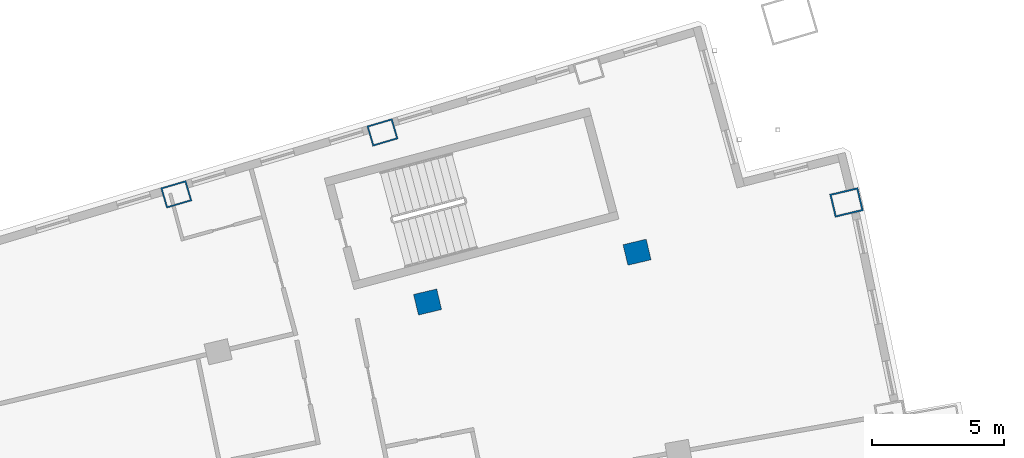
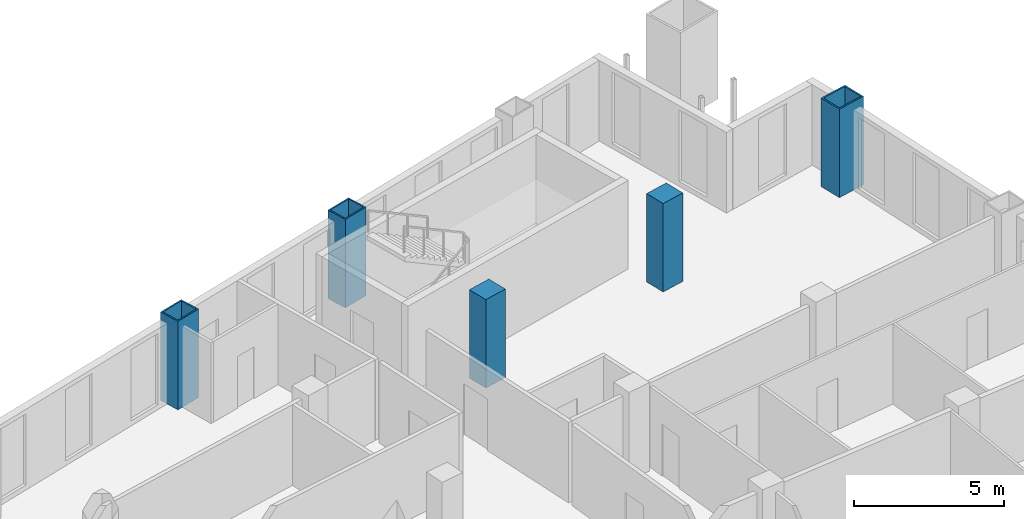
# One storey, part 8 of 20: 5 columns.
"""IFC4 building model written with IfcOpenShell, lengths in metres."""

from ifc_helpers import new_model, si_unit, direction, frame, origin, origin_2d, place, context, subcontext, project, spatial, rectangle, hollow_rectangle, extrude, material, material_profile, profile_set, type_object, element, save


model = new_model("IFC4")

# Units and contexts
model_context = context("Model", 3, precision=1e-05, world=origin(), true_north=direction((0.0, 1.0)))
body_context = subcontext(model_context, "Body", "Model", "MODEL_VIEW")
ifc_project = project(units=[si_unit("LENGTHUNIT", "METRE"), si_unit("AREAUNIT", "SQUARE_METRE"), si_unit("VOLUMEUNIT", "CUBIC_METRE"), si_unit("PLANEANGLEUNIT", "RADIAN"), si_unit("MASSUNIT", "GRAM", prefix="KILO")], contexts=[model_context])

# Site, building, storey
site_placement = place(None, origin())
site = spatial("IfcSite", under=ifc_project, at=site_placement, CompositionType="ELEMENT")
building_placement = place(site_placement, origin())
building = spatial("IfcBuilding", under=site, at=building_placement, Name="Alderwake Tower", CompositionType="ELEMENT")
storey_placement = place(building_placement, frame((0.0, 0.0, 142.39990234375)))
storey = spatial("IfcBuildingStorey", under=building, at=storey_placement, Name="L34", CompositionType="ELEMENT", Elevation=142.39990234375)

# Columns
ifc_material_1 = material(Name="Steel ASTM A572 Grade 50 concrete filled C70/85", Category="concrete")
ifc_material_profile_1 = material_profile(ifc_material_1, hollow_rectangle(XDim=0.800048828125, YDim=1.0, WallThickness=0.054931640625, at=origin_2d()), Name="BOX 1000X800X55")
ifc_profile_set_1 = profile_set([ifc_material_profile_1], Name="Steel ASTM A572 Grade 50 concrete filled C70/85")
column_type_1 = type_object("IfcColumnType", Name="End column Z3", PredefinedType="COLUMN", material=ifc_profile_set_1)
for number, where, z_axis, x_axis, name in (
    (1, (31.080322265625, 93.72314453125, 0.0), (0.0, 0.0, 1.0), (-0.282582549822, 0.959242984095, 0.0), "Column R12-C2"),
    (2, (38.8701171875, 96.061767578125, 0.0), (0.0, 0.0, 1.0), (-0.282909001444, 0.959146754622, 0.0), "Column R12-C3"),
):
    element("IfcColumn", number, at=place(storey_placement, frame(where, z_axis=z_axis, x_axis=x_axis)), inside=storey, type_object=column_type_1, Name=name, PredefinedType="COLUMN", context=body_context, shape_type="SweptSolid", body=[
        extrude(hollow_rectangle(XDim=0.800048828125, YDim=1.0, WallThickness=0.054931640625, at=origin_2d()), origin(), (0.0, 0.0, 1.0), 3.60009765625),
    ])
ifc_material_2 = material(Name="Concrete C70/85", Category="concrete")
ifc_material_profile_2 = material_profile(ifc_material_2, rectangle(XDim=0.800048828125, YDim=0.89990234375, at=origin_2d()), Name="RC 900X800")
ifc_profile_set_2 = profile_set([ifc_material_profile_2], Name="Concrete C70/85")
column_type_2 = type_object("IfcColumnType", Name="Interior column Z3", PredefinedType="COLUMN", material=ifc_profile_set_2)
for number, where, z_axis, x_axis, name in (
    (3, (40.57470703125, 89.656005859375, 0.0), (0.0, 0.0, 1.0), (-0.231221547198, 0.972901123502, 0.0), "Column R11-C3"),
    (4, (48.48779296875, 91.53662109375, 0.0), (0.0, 0.0, 1.0), (-0.231221547198, 0.972901123502, 0.0), "Column R11-C4"),
):
    element("IfcColumn", number, at=place(storey_placement, frame(where, z_axis=z_axis, x_axis=x_axis)), inside=storey, type_object=column_type_2, Name=name, PredefinedType="COLUMN", context=body_context, shape_type="SweptSolid", body=[
        extrude(rectangle(XDim=0.800048828125, YDim=0.89990234375, at=origin_2d()), origin(), (0.0, 0.0, 1.0), 3.60009765625),
    ])
ifc_material_3 = material(Name="Steel ASTM A572 Grade 50 concrete filled C70/85", Category="concrete")
ifc_material_profile_3 = material_profile(ifc_material_3, hollow_rectangle(XDim=0.89990234375, YDim=1.10009765625, WallThickness=0.06005859375, at=origin_2d()), Name="BOX 1100X900X60")
ifc_profile_set_3 = profile_set([ifc_material_profile_3], Name="Steel ASTM A572 Grade 50 concrete filled C70/85")
column_type_3 = type_object("IfcColumnType", Name="Perimeter column Z3", PredefinedType="COLUMN", material=ifc_profile_set_3)
column_placement = place(storey_placement, frame((56.400634765625, 93.417236328125, 0.0), z_axis=(0.0, 0.0, 1.0), x_axis=(-0.231221547198, 0.972901123502, 0.0)))
element("IfcColumn", 5, at=column_placement, inside=storey, type_object=column_type_3, Name="Column R11-C5", PredefinedType="COLUMN", context=body_context, shape_type="SweptSolid", body=[
    extrude(hollow_rectangle(XDim=0.89990234375, YDim=1.10009765625, WallThickness=0.06005859375, at=origin_2d()), origin(), (0.0, 0.0, 1.0), 3.60009765625),
])

save(model, "model.ifc")
